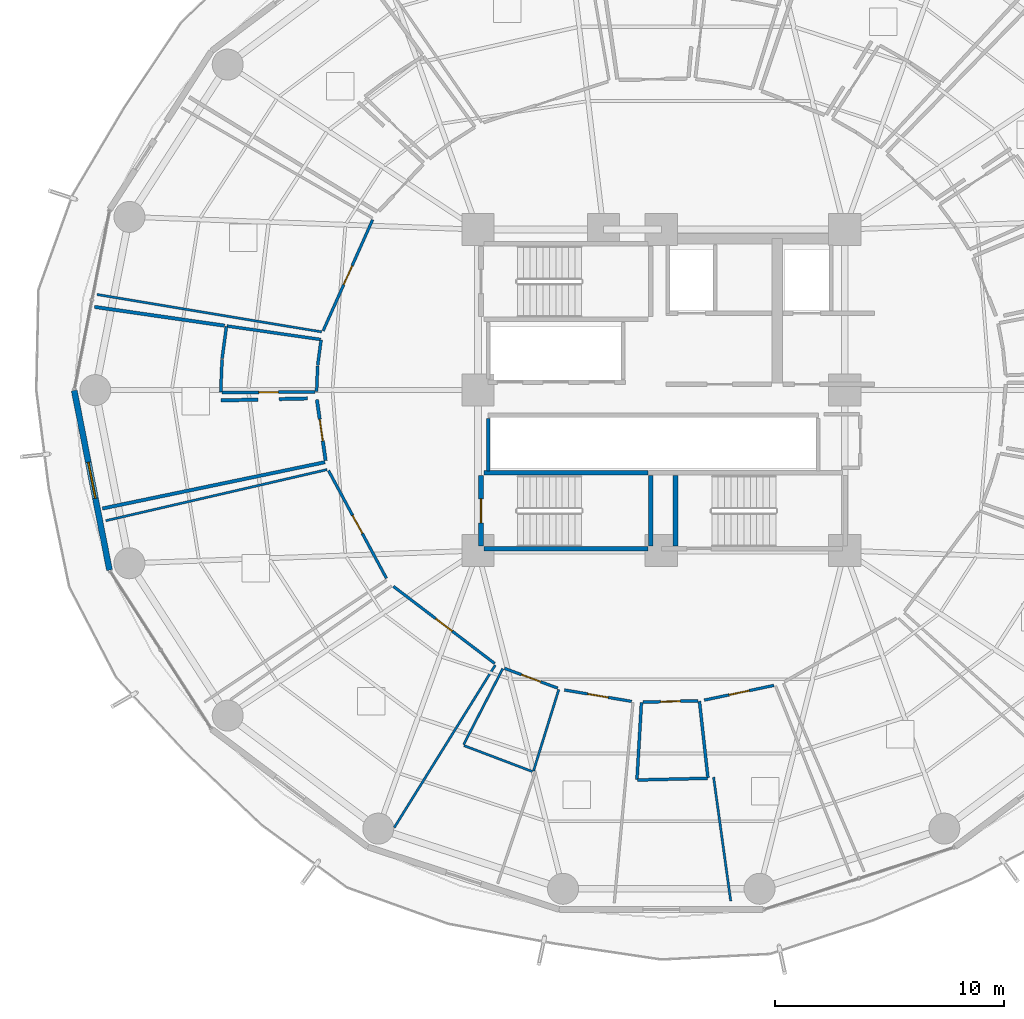
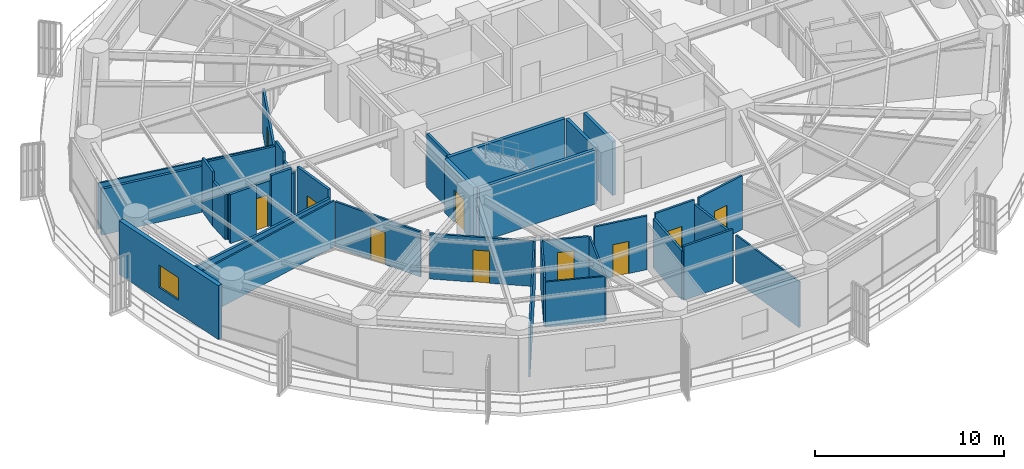
# One storey, part 27 of 35: 35 walls, 10 doors, 1 window, 11 openings.
"""IFC4 building model written with IfcOpenShell, lengths in metres."""

import ifcopenshell
import ifcopenshell.guid

model = None  # the IFC model being written
_history = None  # IfcOwnerHistory: only IFC2X3 demands one
_inside = {}  # id of a spatial element -> (the spatial element, [elements in it])
_under = {}  # id of a project, library or spatial element -> (it, [spatial elements below it])
_declared = {}  # id of a project -> (the project, [libraries it declares])
_typed = {}  # id of a type object -> (the type object, [elements of that type])
_made_of = {}  # id of a material, layer set ... -> (it, [elements and type objects made of it])


def new_model(schema):
    """Start an empty IFC model of exactly this schema.

    Asked for "IFC4X3", IfcOpenShell would pick the latest addendum, in which some entities
    have other attributes; the version numbers below select the first issue.
    IFC2X3 requires an IfcOwnerHistory on every rooted entity: one is made here for all.
    """
    global model, _history
    if schema == "IFC4X3":
        model = ifcopenshell.file(schema_version=(4, 3, 0, 0))
    else:
        model = ifcopenshell.file(schema=schema)
    _inside.clear()
    _under.clear()
    _declared.clear()
    _typed.clear()
    _made_of.clear()
    _history = None
    if model.schema == "IFC2X3":
        org = make("IfcOrganization", Name="unknown")
        user = make(
            "IfcPersonAndOrganization",
            ThePerson=make("IfcPerson", FamilyName="unknown"),
            TheOrganization=org,
        )
        app = make(
            "IfcApplication",
            ApplicationDeveloper=org,
            Version="unknown",
            ApplicationFullName="unknown",
            ApplicationIdentifier="unknown",
        )
        _history = make(
            "IfcOwnerHistory",
            OwningUser=user,
            OwningApplication=app,
            ChangeAction="ADDED",
            CreationDate=0,
        )
    return model


def make(cls, **values):
    """One entity of the class cls with the attributes given. An attribute that is None is left unset."""
    return model.create_entity(
        cls, **{name: value for name, value in values.items() if value is not None}
    )


def rooted(cls, **values):
    """An entity with a GlobalId (a new one), such as an element, a storey or a relation."""
    return make(cls, GlobalId=ifcopenshell.guid.new(), OwnerHistory=_history, **values)


def si_unit(unit_type, name, prefix=None):
    """IfcSIUnit, for example si_unit("LENGTHUNIT", "METRE", prefix="MILLI")."""
    return make("IfcSIUnit", UnitType=unit_type, Prefix=prefix, Name=name)


def assignment(units):
    """IfcUnitAssignment: the units of a project."""
    return None if units is None else make("IfcUnitAssignment", Units=units)


def point(xyz):
    """IfcCartesianPoint."""
    return None if xyz is None else make("IfcCartesianPoint", Coordinates=xyz)


def direction(xyz):
    """IfcDirection."""
    return None if xyz is None else make("IfcDirection", DirectionRatios=xyz)


def frame(location, z_axis=None, x_axis=None):
    """IfcAxis2Placement3D, a coordinate frame: its origin and axes. An axis left out is left unset."""
    return make(
        "IfcAxis2Placement3D",
        Location=point(location),
        Axis=direction(z_axis),
        RefDirection=direction(x_axis),
    )


def frame_2d(location, x_axis=None):
    """IfcAxis2Placement2D, a coordinate frame in the plane: its origin and x axis."""
    return make(
        "IfcAxis2Placement2D", Location=point(location), RefDirection=direction(x_axis)
    )


def origin():
    """The frame at (0, 0, 0) with its axes left unset."""
    return frame((0.0, 0.0, 0.0))


def place(relative_to, where):
    """IfcLocalPlacement: puts the frame where relative to a parent placement (None: the world)."""
    return make(
        "IfcLocalPlacement", PlacementRelTo=relative_to, RelativePlacement=where
    )


def context(
    kind, dimensions, precision=None, world=None, true_north=None, identifier=None
):
    """IfcGeometricRepresentationContext, for example the 3D "Model" context."""
    return make(
        "IfcGeometricRepresentationContext",
        ContextIdentifier=identifier,
        ContextType=kind,
        CoordinateSpaceDimension=dimensions,
        Precision=precision,
        WorldCoordinateSystem=world,
        TrueNorth=true_north,
    )


def subcontext(parent, identifier, kind, view, scale=None):
    """IfcGeometricRepresentationSubContext, for example "Body" below "Model"."""
    return make(
        "IfcGeometricRepresentationSubContext",
        ContextIdentifier=identifier,
        ContextType=kind,
        ParentContext=parent,
        TargetScale=scale,
        TargetView=view,
    )


def project(units=None, contexts=None):
    """IfcProject with its units and contexts."""
    return rooted(
        "IfcProject",
        Name="project",
        RepresentationContexts=contexts,
        UnitsInContext=assignment(units),
    )


def spatial(cls, under=None, at=None, **own):
    """A site, building, storey or space (cls), placed at a placement, below another one or the project."""
    s = rooted(cls, ObjectPlacement=at, **own)
    if under is not None:
        _under.setdefault(under.id(), (under, []))[1].append(s)
    return s


def profile(cls, at=None, kind="AREA", **sizes):
    """A parametric profile (cls). Its sizes go by their IFC names, for example OverallWidth=200.0."""
    return make(cls, ProfileType=kind, Position=at, **sizes)


def rectangle(**sizes):
    """IfcRectangleProfileDef."""
    return profile("IfcRectangleProfileDef", **sizes)


def extrude(swept, where, along, depth):
    """IfcExtrudedAreaSolid: the profile swept, set in the frame where, extruded along a direction by depth."""
    return make(
        "IfcExtrudedAreaSolid",
        SweptArea=swept,
        Position=where,
        ExtrudedDirection=direction(along),
        Depth=depth,
    )


def shape(context_of_items, identifier, shape_type, items):
    """IfcShapeRepresentation: the items that make up one representation, for example the "Body"."""
    return make(
        "IfcShapeRepresentation",
        ContextOfItems=context_of_items,
        RepresentationIdentifier=identifier,
        RepresentationType=shape_type,
        Items=items,
    )


def material(Name=None, Category=None):
    """IfcMaterial."""
    return make("IfcMaterial", Name=Name, Category=Category)


def layer(
    of_material, thickness, ventilated=None, Name=None, Category=None, Priority=None
):
    """IfcMaterialLayer: one layer of a wall or slab, of a material (None: an air gap)."""
    return make(
        "IfcMaterialLayer",
        Material=of_material,
        LayerThickness=thickness,
        IsVentilated=ventilated,
        Name=Name,
        Category=Category,
        Priority=Priority,
    )


def layer_set(layers, Name=None):
    """IfcMaterialLayerSet."""
    return make("IfcMaterialLayerSet", MaterialLayers=layers, LayerSetName=Name)


def made_of(thing, what):
    """Note that an element or type object is made of a material, layer set ...; save() writes the relation."""
    if what is not None:
        _made_of.setdefault(what.id(), (what, []))[1].append(thing)
    return thing


def type_object(cls, material=None, **own):
    """A type object (cls), such as IfcWallType, which elements share."""
    return made_of(rooted(cls, **own), material)


def element(
    cls,
    number,
    at=None,
    inside=None,
    cuts=None,
    type_object=None,
    material=None,
    context=None,
    identifier="Body",
    shape_type=None,
    held_by="IfcProductDefinitionShape",
    body=None,
    shapes=None,
    **own,
):
    """One element of the class cls, such as IfcWall. Its Tag is "e" and its number.

    at: its placement. inside: the storey or other place that contains it. cuts: it is an
    opening in that element (IfcRelVoidsElement). A single representation is given by context,
    identifier, shape_type and body (its items); several are given by shapes. held_by: the class
    of the entity that holds the representations. save() writes the other relations.
    """
    e = rooted(cls, Tag="e%d" % number, ObjectPlacement=at, **own)
    if body is not None:
        shapes = [shape(context, identifier, shape_type, body)]
    if shapes is not None:
        e.Representation = make(held_by, Representations=shapes)
    if inside is not None:
        _inside.setdefault(inside.id(), (inside, []))[1].append(e)
    if cuts is not None:
        rooted(
            "IfcRelVoidsElement", RelatingBuildingElement=cuts, RelatedOpeningElement=e
        )
    if type_object is not None:
        _typed.setdefault(type_object.id(), (type_object, []))[1].append(e)
    return made_of(e, material)


def fill(opening, filler):
    """IfcRelFillsElement: the door or window that sits in an opening."""
    return rooted(
        "IfcRelFillsElement",
        RelatingOpeningElement=opening,
        RelatedBuildingElement=filler,
    )


def aggregate(whole, parts):
    """IfcRelAggregates: a whole, such as a stair, and the parts it consists of."""
    return rooted("IfcRelAggregates", RelatingObject=whole, RelatedObjects=parts)


def save(model, path):
    """Write the relations noted so far, then the file.

    IfcRelAggregates (storeys below a building ...), IfcRelContainedInSpatialStructure (elements
    in a storey), IfcRelDefinesByType, IfcRelAssociatesMaterial and IfcRelDeclares: one each for
    every whole, place, type object, material and project.
    """
    for whole, parts in _under.values():
        aggregate(whole, parts)
    for where, things in _inside.values():
        rooted(
            "IfcRelContainedInSpatialStructure",
            RelatedElements=things,
            RelatingStructure=where,
        )
    for kind, things in _typed.values():
        rooted("IfcRelDefinesByType", RelatedObjects=things, RelatingType=kind)
    for what, things in _made_of.values():
        rooted("IfcRelAssociatesMaterial", RelatedObjects=things, RelatingMaterial=what)
    for by, libraries in _declared.values():
        rooted("IfcRelDeclares", RelatingContext=by, RelatedDefinitions=libraries)
    model.write(path)


model = new_model("IFC4")

# Units and contexts
model_context = context("Model", 3, precision=1e-05, world=origin(), true_north=direction((0.0, 1.0)))
body_context = subcontext(model_context, "Body", "Model", "MODEL_VIEW")
ifc_project = project(units=[si_unit("LENGTHUNIT", "METRE"), si_unit("AREAUNIT", "SQUARE_METRE"), si_unit("VOLUMEUNIT", "CUBIC_METRE"), si_unit("PLANEANGLEUNIT", "RADIAN"), si_unit("MASSUNIT", "GRAM", prefix="KILO")], contexts=[model_context])

# Site, building, storey
site_placement = place(None, origin())
site = spatial("IfcSite", under=ifc_project, at=site_placement, CompositionType="ELEMENT")
building_placement = place(site_placement, origin())
building = spatial("IfcBuilding", under=site, at=building_placement, Name="Kelanora Arch Commons", CompositionType="ELEMENT")
storey_placement = place(building_placement, frame((0.0, 0.0, 91.35009765625)))
storey = spatial("IfcBuildingStorey", under=building, at=storey_placement, Name="L23", CompositionType="ELEMENT", Elevation=91.35009765625)

# Wall
ifc_material_1 = material(Name="Autoclaved aerated concrete blockwork with fire plaster", Category="masonry")
ifc_layer_1 = layer(ifc_material_1, 0.14990234375)
ifc_layer_set_1 = layer_set([ifc_layer_1], Name="Autoclaved aerated concrete blockwork with fire plaster")
wall_type_1 = type_object("IfcWallType", Name="W-COMP-150", PredefinedType="PARTITIONING", material=ifc_layer_set_1)
wall_1_placement = place(storey_placement, frame((66.4599609375, 54.47998046875, 0.0), z_axis=(0.0, 0.0, 1.0), x_axis=(0.0, 1.0, 0.0)))
element("IfcWall", 1, at=wall_1_placement, inside=storey, type_object=wall_type_1, Name="South Lift Bank West Wall L23", PredefinedType="PARTITIONING", context=body_context, shape_type="SweptSolid", body=[
    extrude(rectangle(XDim=2.2900390625, YDim=0.14990234375, at=frame_2d((1.14501953125, 0.0))), origin(), (0.0, 0.0, 1.0), 3.47998046875),
])

# Wall, opening, door
wall_2_placement = place(storey_placement, frame((58.9833984375, 57.585693359375, 0.0), z_axis=(0.0, 0.0, 1.0), x_axis=(0.141700939895, -0.989909512851, 0.0)))
wall_2 = element("IfcWall", 2, at=wall_2_placement, inside=storey, type_object=wall_type_1, Name="Co-Living Studio L23-07 Entry Partition", PredefinedType="PARTITIONING", context=body_context, shape_type="SweptSolid", body=[
    extrude(rectangle(XDim=2.689453125, YDim=0.14990234375, at=frame_2d((1.3447265625, 0.0))), origin(), (0.0, 0.0, 1.0), 3.47998046875),
])
opening_1_placement = place(wall_2_placement, frame((0.8701171875, 0.0, 0.0)))
opening_1 = element("IfcOpeningElement", 3, at=opening_1_placement, cuts=wall_2, Name="Opening D-CLU1", PredefinedType="OPENING", context=body_context, shape_type="SweptSolid", body=[
    extrude(rectangle(XDim=0.949951171875, YDim=2.080078125, at=frame_2d((0.47509765625, 1.0400390625))), frame((0.0, 0.0849609375, 0.0), z_axis=(0.0, -1.0, 0.0), x_axis=(1.0, 0.0, 0.0)), (0.0, 0.0, 1.0), 0.169921875),
])
ifc_material_2 = material(Name="Solid-core acoustic timber cluster entry fire door", Category="wood")
door_type_1 = type_object("IfcDoorType", Name="D-CLU-95", OperationType="NOTDEFINED", PredefinedType="DOOR", material=ifc_material_2)
door_1_placement = place(opening_1_placement, origin())
door_1 = element("IfcDoor", 4, at=door_1_placement, inside=storey, type_object=door_type_1, Name="Co-Living Studio L23-07 Door", OperationType="SINGLE_SWING_LEFT", OverallHeight=2.080078125, OverallWidth=0.949951171875, PredefinedType="DOOR", context=body_context, shape_type="SweptSolid", body=[
    extrude(rectangle(XDim=0.949951171875, YDim=2.080078125, at=frame_2d((0.47509765625, 1.0400390625))), frame((0.0, 0.02490234375, 0.0), z_axis=(0.0, -1.0, 0.0), x_axis=(1.0, 0.0, 0.0)), (0.0, 0.0, 1.0), 0.050048828125),
])
fill(opening_1, door_1)

# Walls
wall_3_placement = place(storey_placement, frame((59.333740234375, 54.855712890625, 0.0), z_axis=(0.0, 0.0, 1.0), x_axis=(-0.979013610983, -0.203794871157, 0.0)))
element("IfcWall", 5, at=wall_3_placement, inside=storey, type_object=wall_type_1, Name="Co-Living Studio L23-07 Enclosure Partition 2", PredefinedType="PARTITIONING", context=body_context, shape_type="SweptSolid", body=[
    extrude(rectangle(XDim=9.90966796875, YDim=0.14990234375, at=frame_2d((4.954833984375, 0.0))), origin(), (0.0, 0.0, 1.0), 2.974853515625),
])
wall_4_placement = place(storey_placement, frame((49.28955078125, 61.627197265625, 0.0), z_axis=(0.0, 0.0, 1.0), x_axis=(0.989748303042, -0.142822605444, 0.0)))
element("IfcWall", 6, at=wall_4_placement, inside=storey, type_object=wall_type_1, Name="Co-Living Studio L23-07 Enclosure Partition 5", PredefinedType="PARTITIONING", context=body_context, shape_type="SweptSolid", body=[
    extrude(rectangle(XDim=5.731689453125, YDim=0.14990234375, at=frame_2d((2.86572265625, 0.0))), origin(), (0.0, 0.0, 1.0), 2.974853515625),
])
wall_5_placement = place(storey_placement, frame((54.7958984375, 57.548828125, 0.0), z_axis=(0.0, 0.0, 1.0), x_axis=(0.999735829312, 0.022984159562, 0.0)))
element("IfcWall", 7, at=wall_5_placement, inside=storey, type_object=wall_type_1, Name="Co-Living Studio L23-07 Enclosure Partition 7", PredefinedType="PARTITIONING", context=body_context, shape_type="SweptSolid", body=[
    extrude(rectangle(XDim=1.625244140625, YDim=0.14990234375, at=frame_2d((0.8125, 0.0))), origin(), (0.0, 0.0, 1.0), 3.1748046875),
])
wall_6_placement = place(storey_placement, frame((57.340576171875, 57.607421875, 0.0), z_axis=(0.0, 0.0, 1.0), x_axis=(0.999735089114, 0.02301633322, 0.0)))
element("IfcWall", 8, at=wall_6_placement, inside=storey, type_object=wall_type_1, Name="Co-Living Studio L23-07 Enclosure Partition 7", PredefinedType="PARTITIONING", context=body_context, shape_type="SweptSolid", body=[
    extrude(rectangle(XDim=1.240966796875, YDim=0.14990234375, at=frame_2d((0.62060546875, 0.0))), origin(), (0.0, 0.0, 1.0), 3.47998046875),
])

# Wall, opening, window
ifc_material_3 = material(Name="Precast concrete C40/50 with terracotta rainscreen", Category="masonry")
ifc_layer_2 = layer(ifc_material_3, 0.260009765625)
ifc_layer_set_2 = layer_set([ifc_layer_2], Name="Precast concrete C40/50 with terracotta rainscreen")
wall_type_2 = type_object("IfcWallType", Name="W-EXT-TC", PredefinedType="SOLIDWALL", material=ifc_layer_set_2)
wall_7_placement = place(storey_placement, frame((48.40283203125, 57.9853515625, 0.0), z_axis=(0.0, 0.0, 1.0), x_axis=(0.192581843632, -0.981280914674, 0.0)))
wall_7 = element("IfcWall", 9, at=wall_7_placement, inside=storey, type_object=wall_type_2, Name="Terracotta Exterior Wall L23-B09", PredefinedType="SOLIDWALL", context=body_context, shape_type="SweptSolid", body=[
    extrude(rectangle(XDim=7.986572265625, YDim=0.260009765625, at=frame_2d((3.9931640625, 0.0))), origin(), (0.0, 0.0, 1.0), 3.474853515625),
])
opening_2_placement = place(wall_7_placement, frame((3.193115234375, 0.0, 0.85009765625)))
opening_2 = element("IfcOpeningElement", 10, at=opening_2_placement, cuts=wall_7, Name="Opening WN-01", PredefinedType="OPENING", context=body_context, shape_type="SweptSolid", body=[
    extrude(rectangle(XDim=1.60009765625, YDim=1.449951171875, at=frame_2d((0.800048828125, 0.72509765625))), frame((0.0, 0.14013671875, 0.0), z_axis=(0.0, -1.0, 0.0), x_axis=(1.0, 0.0, 0.0)), (0.0, 0.0, 1.0), 0.280029296875),
])
ifc_material_4 = material(Name="Terracotta-anodised aluminium frame with operable low-E glazing", Category="masonry")
window_type = type_object("IfcWindowType", Name="WIN-CL-18", PartitioningType="DOUBLE_PANEL_VERTICAL", PredefinedType="WINDOW", material=ifc_material_4)
window_placement = place(opening_2_placement, origin())
window = element("IfcWindow", 11, at=window_placement, inside=storey, type_object=window_type, Name="Co-Living Operable Window L23-B09", OverallHeight=1.449951171875, OverallWidth=1.60009765625, PartitioningType="SINGLE_PANEL", PredefinedType="WINDOW", context=body_context, shape_type="SweptSolid", body=[
    extrude(rectangle(XDim=1.60009765625, YDim=1.449951171875, at=frame_2d((0.800048828125, 0.72509765625))), frame((0.0, 0.030029296875, 0.0), z_axis=(0.0, -1.0, 0.0), x_axis=(1.0, 0.0, 0.0)), (0.0, 0.0, 1.0), 0.06005859375),
])
fill(opening_2, window)

# Walls
ifc_material_5 = material(Name="Lightweight fire-rated acoustic stud partition")
ifc_layer_3 = layer(ifc_material_5, 0.10009765625)
ifc_layer_set_3 = layer_set([ifc_layer_3], Name="Lightweight fire-rated acoustic stud partition")
wall_type_3 = type_object("IfcWallType", Name="W-PART-100", PredefinedType="PARTITIONING", material=ifc_layer_set_3)
wall_8_placement = place(storey_placement, frame((59.19140625, 60.53759765625, 0.0), z_axis=(0.0, 0.0, 1.0), x_axis=(-0.986439069388, 0.16412788424, 0.0)))
element("IfcWall", 12, at=wall_8_placement, inside=storey, type_object=wall_type_3, Name="Social Sky Lounge L23-06 Enclosure Partition 2", PredefinedType="PARTITIONING", context=body_context, shape_type="SweptSolid", body=[
    extrude(rectangle(XDim=9.9306640625, YDim=0.10009765625, at=frame_2d((4.96533203125, 0.0))), origin(), (0.0, 0.0, 1.0), 2.974853515625),
])
wall_9_placement = place(storey_placement, frame((49.780029296875, 52.304931640625, 0.0), z_axis=(0.0, 0.0, 1.0), x_axis=(0.9743529317, 0.225025252999, 0.0)))
element("IfcWall", 13, at=wall_9_placement, inside=storey, type_object=wall_type_3, Name="Quiet Seminar Study Room L23-08 Enclosure Partition 4", PredefinedType="PARTITIONING", context=body_context, shape_type="SweptSolid", body=[
    extrude(rectangle(XDim=9.89697265625, YDim=0.10009765625, at=frame_2d((4.948486328125, 0.0))), origin(), (0.0, 0.0, 1.0), 2.974853515625),
])
wall_10_placement = place(storey_placement, frame((66.760986328125, 46.010009765625, 0.0), z_axis=(0.0, 0.0, 1.0), x_axis=(-0.528015738644, -0.849234584638, 0.0)))
element("IfcWall", 14, at=wall_10_placement, inside=storey, type_object=wall_type_3, Name="Communal Dining and Social Hall L23-09 Enclosure Partition 2", PredefinedType="PARTITIONING", context=body_context, shape_type="SweptSolid", body=[
    extrude(rectangle(XDim=8.33837890625, YDim=0.10009765625, at=frame_2d((4.169189453125, 0.0))), origin(), (0.0, 0.0, 1.0), 3.1748046875),
])
wall_11_placement = place(storey_placement, frame((69.530029296875, 44.94482421875, 0.0), z_axis=(0.0, 0.0, 1.0), x_axis=(-0.296510682072, -0.955029536411, 0.0)))
element("IfcWall", 15, at=wall_11_placement, inside=storey, type_object=wall_type_3, Name="Student Laundry Room L23-10 Enclosure Partition 2", PredefinedType="PARTITIONING", context=body_context, shape_type="SweptSolid", body=[
    extrude(rectangle(XDim=3.719970703125, YDim=0.10009765625, at=frame_2d((1.85986328125, 0.0))), origin(), (0.0, 0.0, 1.0), 2.9248046875),
])
wall_12_placement = place(storey_placement, frame((68.377685546875, 41.3681640625, 0.0), z_axis=(0.0, 0.0, 1.0), x_axis=(-0.935027341219, 0.354575621233, 0.0)))
element("IfcWall", 16, at=wall_12_placement, inside=storey, type_object=wall_type_3, Name="Student Laundry Room L23-10 Enclosure Partition 3", PredefinedType="PARTITIONING", context=body_context, shape_type="SweptSolid", body=[
    extrude(rectangle(XDim=3.18310546875, YDim=0.10009765625, at=frame_2d((1.591552734375, 0.0))), origin(), (0.0, 0.0, 1.0), 2.9248046875),
])
wall_13_placement = place(storey_placement, frame((65.38232421875, 42.54638671875, 0.0), z_axis=(0.0, 0.0, 1.0), x_axis=(0.458413879464, 0.888738834031, 0.0)))
element("IfcWall", 17, at=wall_13_placement, inside=storey, type_object=wall_type_3, Name="Student Laundry Room L23-10 Enclosure Partition 4", PredefinedType="PARTITIONING", context=body_context, shape_type="SweptSolid", body=[
    extrude(rectangle(XDim=3.719970703125, YDim=0.10009765625, at=frame_2d((1.85986328125, 0.0))), origin(), (0.0, 0.0, 1.0), 3.1748046875),
])
wall_14_placement = place(storey_placement, frame((77.026611328125, 35.724609375, 0.0), z_axis=(0.0, 0.0, 1.0), x_axis=(-0.136996790132, 0.990571491359, 0.0)))
element("IfcWall", 18, at=wall_14_placement, inside=storey, type_object=wall_type_3, Name="Tutorial Study Alcove L23-11 Enclosure Partition 4", PredefinedType="PARTITIONING", context=body_context, shape_type="SweptSolid", body=[
    extrude(rectangle(XDim=5.44775390625, YDim=0.10009765625, at=frame_2d((2.723876953125, 0.0))), origin(), (0.0, 0.0, 1.0), 2.974853515625),
])

# Wall, opening, door
ifc_material_6 = material(Name="Acoustic twin-stud fire-rated gypsum partition")
ifc_layer_4 = layer(ifc_material_6, 0.1201171875)
ifc_layer_set_4 = layer_set([ifc_layer_4], Name="Acoustic twin-stud fire-rated gypsum partition")
wall_type_4 = type_object("IfcWallType", Name="W-PART-120", PredefinedType="PARTITIONING", material=ifc_layer_set_4)
wall_15_placement = place(storey_placement, frame((61.41357421875, 65.42822265625, 0.0), z_axis=(0.0, 0.0, 1.0), x_axis=(-0.407078232177, -0.913393295841, 0.0)))
wall_15 = element("IfcWall", 19, at=wall_15_placement, inside=storey, type_object=wall_type_4, Name="Social Sky Lounge L23-06 Entry Partition", PredefinedType="PARTITIONING", context=body_context, shape_type="SweptSolid", body=[
    extrude(rectangle(XDim=5.3017578125, YDim=0.1201171875, at=frame_2d((2.65087890625, 0.0))), origin(), (0.0, 0.0, 1.0), 2.9248046875),
])
opening_3_placement = place(wall_15_placement, frame((2.200927734375, 0.0, 0.0)))
opening_3 = element("IfcOpeningElement", 20, at=opening_3_placement, cuts=wall_15, Name="Opening D-RM1", PredefinedType="OPENING", context=body_context, shape_type="SweptSolid", body=[
    extrude(rectangle(XDim=0.89990234375, YDim=2.080078125, at=frame_2d((0.449951171875, 1.0400390625))), frame((0.0, 0.070068359375, 0.0), z_axis=(0.0, -1.0, 0.0), x_axis=(1.0, 0.0, 0.0)), (0.0, 0.0, 1.0), 0.14013671875),
])
ifc_material_7 = material(Name="Acoustic fire-rated timber study and lounge door", Category="wood")
door_type_2 = type_object("IfcDoorType", Name="D-ROOM-90", OperationType="NOTDEFINED", PredefinedType="DOOR", material=ifc_material_7)
door_2_placement = place(opening_3_placement, origin())
door_2 = element("IfcDoor", 21, at=door_2_placement, inside=storey, type_object=door_type_2, Name="Social Sky Lounge L23-06 Door", OperationType="SINGLE_SWING_LEFT", OverallHeight=2.080078125, OverallWidth=0.89990234375, PredefinedType="DOOR", context=body_context, shape_type="SweptSolid", body=[
    extrude(rectangle(XDim=0.89990234375, YDim=2.080078125, at=frame_2d((0.449951171875, 1.0400390625))), frame((0.0, 0.02490234375, 0.0), z_axis=(0.0, -1.0, 0.0), x_axis=(1.0, 0.0, 0.0)), (0.0, 0.0, 1.0), 0.050048828125),
])
fill(opening_3, door_2)

wall_16_placement = place(storey_placement, frame((59.490478515625, 54.48828125, 0.0), z_axis=(0.0, 0.0, 1.0), x_axis=(0.473630069111, -0.880723882743, 0.0)))
wall_16 = element("IfcWall", 22, at=wall_16_placement, inside=storey, type_object=wall_type_4, Name="Quiet Seminar Study Room L23-08 Entry Partition", PredefinedType="PARTITIONING", context=body_context, shape_type="SweptSolid", body=[
    extrude(rectangle(XDim=5.33154296875, YDim=0.1201171875, at=frame_2d((2.665771484375, 0.0))), origin(), (0.0, 0.0, 1.0), 2.9248046875),
])
opening_4_placement = place(wall_16_placement, frame((2.216064453125, 0.0, 0.0)))
opening_4 = element("IfcOpeningElement", 23, at=opening_4_placement, cuts=wall_16, Name="Opening D-RM1", PredefinedType="OPENING", context=body_context, shape_type="SweptSolid", body=[
    extrude(rectangle(XDim=0.89990234375, YDim=2.080078125, at=frame_2d((0.449951171875, 1.0400390625))), frame((0.0, 0.070068359375, 0.0), z_axis=(0.0, -1.0, 0.0), x_axis=(1.0, 0.0, 0.0)), (0.0, 0.0, 1.0), 0.14013671875),
])
door_3_placement = place(opening_4_placement, origin())
door_3 = element("IfcDoor", 24, at=door_3_placement, inside=storey, type_object=door_type_2, Name="Quiet Seminar Study Room L23-08 Door", OperationType="SINGLE_SWING_RIGHT", OverallHeight=2.080078125, OverallWidth=0.89990234375, PredefinedType="DOOR", context=body_context, shape_type="SweptSolid", body=[
    extrude(rectangle(XDim=0.89990234375, YDim=2.080078125, at=frame_2d((0.449951171875, 1.0400390625))), frame((0.0, 0.02490234375, 0.0), z_axis=(0.0, -1.0, 0.0), x_axis=(1.0, 0.0, 0.0)), (0.0, 0.0, 1.0), 0.050048828125),
])
fill(opening_4, door_3)

wall_17_placement = place(storey_placement, frame((62.317626953125, 49.441650390625, 0.0), z_axis=(0.0, 0.0, 1.0), x_axis=(0.795762794985, -0.605608432997, 0.0)))
wall_17 = element("IfcWall", 25, at=wall_17_placement, inside=storey, type_object=wall_type_4, Name="Communal Dining and Social Hall L23-09 Entry Partition", PredefinedType="PARTITIONING", context=body_context, shape_type="SweptSolid", body=[
    extrude(rectangle(XDim=5.55029296875, YDim=0.1201171875, at=frame_2d((2.775146484375, 0.0))), origin(), (0.0, 0.0, 1.0), 2.9248046875),
])
opening_5_placement = place(wall_17_placement, frame((2.324951171875, 0.0, 0.0)))
opening_5 = element("IfcOpeningElement", 26, at=opening_5_placement, cuts=wall_17, Name="Opening D-RM1", PredefinedType="OPENING", context=body_context, shape_type="SweptSolid", body=[
    extrude(rectangle(XDim=0.89990234375, YDim=2.080078125, at=frame_2d((0.449951171875, 1.0400390625))), frame((0.0, 0.070068359375, 0.0), z_axis=(0.0, -1.0, 0.0), x_axis=(1.0, 0.0, 0.0)), (0.0, 0.0, 1.0), 0.14013671875),
])
door_4_placement = place(opening_5_placement, origin())
door_4 = element("IfcDoor", 27, at=door_4_placement, inside=storey, type_object=door_type_2, Name="Communal Dining and Social Hall L23-09 Door", OperationType="SINGLE_SWING_LEFT", OverallHeight=2.080078125, OverallWidth=0.89990234375, PredefinedType="DOOR", context=body_context, shape_type="SweptSolid", body=[
    extrude(rectangle(XDim=0.89990234375, YDim=2.080078125, at=frame_2d((0.449951171875, 1.0400390625))), frame((0.0, 0.02490234375, 0.0), z_axis=(0.0, -1.0, 0.0), x_axis=(1.0, 0.0, 0.0)), (0.0, 0.0, 1.0), 0.050048828125),
])
fill(opening_5, door_4)

wall_18_placement = place(storey_placement, frame((67.162109375, 45.8671875, 0.0), z_axis=(0.0, 0.0, 1.0), x_axis=(0.937401389833, -0.348250821018, 0.0)))
wall_18 = element("IfcWall", 28, at=wall_18_placement, inside=storey, type_object=wall_type_4, Name="Student Laundry Room L23-10 Entry Partition", PredefinedType="PARTITIONING", context=body_context, shape_type="SweptSolid", body=[
    extrude(rectangle(XDim=2.47900390625, YDim=0.1201171875, at=frame_2d((1.239501953125, 0.0))), origin(), (0.0, 0.0, 1.0), 2.9248046875),
])
opening_6_placement = place(wall_18_placement, frame((0.7890625, 0.0, 0.0)))
opening_6 = element("IfcOpeningElement", 29, at=opening_6_placement, cuts=wall_18, Name="Opening D-RM1", PredefinedType="OPENING", context=body_context, shape_type="SweptSolid", body=[
    extrude(rectangle(XDim=0.89990234375, YDim=2.080078125, at=frame_2d((0.449951171875, 1.0400390625))), frame((0.0, 0.070068359375, 0.0), z_axis=(0.0, -1.0, 0.0), x_axis=(1.0, 0.0, 0.0)), (0.0, 0.0, 1.0), 0.14013671875),
])
door_5_placement = place(opening_6_placement, origin())
door_5 = element("IfcDoor", 30, at=door_5_placement, inside=storey, type_object=door_type_2, Name="Student Laundry Room L23-10 Door", OperationType="SINGLE_SWING_RIGHT", OverallHeight=2.080078125, OverallWidth=0.89990234375, PredefinedType="DOOR", context=body_context, shape_type="SweptSolid", body=[
    extrude(rectangle(XDim=0.89990234375, YDim=2.080078125, at=frame_2d((0.449951171875, 1.0400390625))), frame((0.0, 0.02490234375, 0.0), z_axis=(0.0, -1.0, 0.0), x_axis=(1.0, 0.0, 0.0)), (0.0, 0.0, 1.0), 0.050048828125),
])
fill(opening_6, door_5)

wall_19_placement = place(storey_placement, frame((69.777099609375, 44.9248046875, 0.0), z_axis=(0.0, 0.0, 1.0), x_axis=(0.985835901267, -0.167712777608, 0.0)))
wall_19 = element("IfcWall", 31, at=wall_19_placement, inside=storey, type_object=wall_type_4, Name="Quiet Reading Carrel L23-10 Entry Partition", PredefinedType="PARTITIONING", context=body_context, shape_type="SweptSolid", body=[
    extrude(rectangle(XDim=2.97412109375, YDim=0.1201171875, at=frame_2d((1.487060546875, 0.0))), origin(), (0.0, 0.0, 1.0), 3.47998046875),
])
opening_7_placement = place(wall_19_placement, frame((1.037109375, 0.0, 0.0)))
opening_7 = element("IfcOpeningElement", 32, at=opening_7_placement, cuts=wall_19, Name="Opening D-RM1", PredefinedType="OPENING", context=body_context, shape_type="SweptSolid", body=[
    extrude(rectangle(XDim=0.89990234375, YDim=2.080078125, at=frame_2d((0.449951171875, 1.0400390625))), frame((0.0, 0.070068359375, 0.0), z_axis=(0.0, -1.0, 0.0), x_axis=(1.0, 0.0, 0.0)), (0.0, 0.0, 1.0), 0.14013671875),
])
door_6_placement = place(opening_7_placement, origin())
door_6 = element("IfcDoor", 33, at=door_6_placement, inside=storey, type_object=door_type_2, Name="Quiet Reading Carrel L23-10 Door", OperationType="SINGLE_SWING_LEFT", OverallHeight=2.080078125, OverallWidth=0.89990234375, PredefinedType="DOOR", context=body_context, shape_type="SweptSolid", body=[
    extrude(rectangle(XDim=0.89990234375, YDim=2.080078125, at=frame_2d((0.449951171875, 1.0400390625))), frame((0.0, 0.02490234375, 0.0), z_axis=(0.0, -1.0, 0.0), x_axis=(1.0, 0.0, 0.0)), (0.0, 0.0, 1.0), 0.050048828125),
])
fill(opening_7, door_6)

wall_20_placement = place(storey_placement, frame((75.875732421875, 44.482421875, 0.0), z_axis=(0.0, 0.0, 1.0), x_axis=(0.978387400111, 0.206780306856, 0.0)))
wall_20 = element("IfcWall", 34, at=wall_20_placement, inside=storey, type_object=wall_type_4, Name="Tutorial Study Alcove L23-11 Entry Partition", PredefinedType="PARTITIONING", context=body_context, shape_type="SweptSolid", body=[
    extrude(rectangle(XDim=3.100341796875, YDim=0.1201171875, at=frame_2d((1.55029296875, 0.0))), origin(), (0.0, 0.0, 1.0), 3.47998046875),
])
opening_8_placement = place(wall_20_placement, frame((1.10009765625, 0.0, 0.0)))
opening_8 = element("IfcOpeningElement", 35, at=opening_8_placement, cuts=wall_20, Name="Opening D-RM1", PredefinedType="OPENING", context=body_context, shape_type="SweptSolid", body=[
    extrude(rectangle(XDim=0.89990234375, YDim=2.080078125, at=frame_2d((0.449951171875, 1.0400390625))), frame((0.0, 0.070068359375, 0.0), z_axis=(0.0, -1.0, 0.0), x_axis=(1.0, 0.0, 0.0)), (0.0, 0.0, 1.0), 0.14013671875),
])
door_7_placement = place(opening_8_placement, origin())
door_7 = element("IfcDoor", 36, at=door_7_placement, inside=storey, type_object=door_type_2, Name="Tutorial Study Alcove L23-11 Door", OperationType="SINGLE_SWING_LEFT", OverallHeight=2.080078125, OverallWidth=0.89990234375, PredefinedType="DOOR", context=body_context, shape_type="SweptSolid", body=[
    extrude(rectangle(XDim=0.89990234375, YDim=2.080078125, at=frame_2d((0.449951171875, 1.0400390625))), frame((0.0, 0.02490234375, 0.0), z_axis=(0.0, -1.0, 0.0), x_axis=(1.0, 0.0, 0.0)), (0.0, 0.0, 1.0), 0.050048828125),
])
fill(opening_8, door_7)

# Walls
ifc_material_8 = material(Name="Concrete C40/50", Category="concrete")
ifc_layer_5 = layer(ifc_material_8, 0.199951171875)
ifc_layer_set_5 = layer_set([ifc_layer_5], Name="Concrete C40/50")
wall_type_5 = type_object("IfcWallType", Name="W-STAIR-200", PredefinedType="SHEAR", material=ifc_layer_set_5)
wall_21_placement = place(storey_placement, frame((74.6201171875, 54.27001953125, 0.0), z_axis=(0.0, 0.0, 1.0), x_axis=(0.0, -1.0, 0.0)))
element("IfcWall", 37, at=wall_21_placement, inside=storey, type_object=wall_type_5, Name="Stair ST-T2 Shaft Wall W L23", PredefinedType="SHEAR", context=body_context, shape_type="SweptSolid", body=[
    extrude(rectangle(XDim=3.070068359375, YDim=0.199951171875, at=frame_2d((1.53515625, 0.0))), origin(), (0.0, 0.0, 1.0), 3.489990234375),
])
wall_22_placement = place(storey_placement, frame((66.260009765625, 51.080078125, 0.0), z_axis=(0.0, 0.0, 1.0), x_axis=(1.0, 0.0, 0.0)))
element("IfcWall", 38, at=wall_22_placement, inside=storey, type_object=wall_type_5, Name="Stair ST-T3 Shaft Wall S L23", PredefinedType="SHEAR", context=body_context, shape_type="SweptSolid", body=[
    extrude(rectangle(XDim=7.159912109375, YDim=0.199951171875, at=frame_2d((3.580078125, 0.0))), origin(), (0.0, 0.0, 1.0), 3.489990234375),
])
wall_23_placement = place(storey_placement, frame((73.5400390625, 51.199951171875, 0.0), z_axis=(0.0, 0.0, 1.0), x_axis=(0.0, 1.0, 0.0)))
element("IfcWall", 39, at=wall_23_placement, inside=storey, type_object=wall_type_5, Name="Stair ST-T3 Shaft Wall E L23", PredefinedType="SHEAR", context=body_context, shape_type="SweptSolid", body=[
    extrude(rectangle(XDim=3.070068359375, YDim=0.199951171875, at=frame_2d((1.53515625, 0.0))), origin(), (0.0, 0.0, 1.0), 3.489990234375),
])
wall_24_placement = place(storey_placement, frame((73.419921875, 54.389892578125, 0.0), z_axis=(0.0, 0.0, 1.0), x_axis=(-1.0, 0.0, 0.0)))
element("IfcWall", 40, at=wall_24_placement, inside=storey, type_object=wall_type_5, Name="Stair ST-T3 Shaft Wall N L23", PredefinedType="SHEAR", context=body_context, shape_type="SweptSolid", body=[
    extrude(rectangle(XDim=7.159912109375, YDim=0.199951171875, at=frame_2d((3.580078125, 0.0))), origin(), (0.0, 0.0, 1.0), 3.489990234375),
])

# Wall, opening, door
wall_25_placement = place(storey_placement, frame((66.139892578125, 54.27001953125, 0.0), z_axis=(0.0, 0.0, 1.0), x_axis=(0.0, -1.0, 0.0)))
wall_25 = element("IfcWall", 41, at=wall_25_placement, inside=storey, type_object=wall_type_5, Name="Stair ST-T3 Shaft Wall W L23", PredefinedType="SHEAR", context=body_context, shape_type="SweptSolid", body=[
    extrude(rectangle(XDim=3.070068359375, YDim=0.199951171875, at=frame_2d((1.53515625, 0.0))), origin(), (0.0, 0.0, 1.0), 3.489990234375),
])
opening_9_placement = place(wall_25_placement, frame((1.010009765625, 0.0, 0.0)))
opening_9 = element("IfcOpeningElement", 42, at=opening_9_placement, cuts=wall_25, Name="Opening D-ST1", PredefinedType="OPENING", context=body_context, shape_type="SweptSolid", body=[
    extrude(rectangle(XDim=1.050048828125, YDim=2.10009765625, at=frame_2d((0.52490234375, 1.050048828125))), frame((0.0, 0.10986328125, 0.0), z_axis=(0.0, -1.0, 0.0), x_axis=(1.0, 0.0, 0.0)), (0.0, 0.0, 1.0), 0.219970703125),
])
ifc_material_9 = material(Name="Steel fire-rated stairwell escape door", Category="steel")
door_type_3 = type_object("IfcDoorType", Name="D-STAIR-110", OperationType="NOTDEFINED", PredefinedType="DOOR", material=ifc_material_9)
door_8_placement = place(opening_9_placement, origin())
door_8 = element("IfcDoor", 43, at=door_8_placement, inside=storey, type_object=door_type_3, Name="Stair ST-T3 Escape Door L23", OperationType="SINGLE_SWING_LEFT", OverallHeight=2.10009765625, OverallWidth=1.050048828125, PredefinedType="DOOR", context=body_context, shape_type="SweptSolid", body=[
    extrude(rectangle(XDim=1.050048828125, YDim=2.10009765625, at=frame_2d((0.52490234375, 1.050048828125))), frame((0.0, 0.02490234375, 0.0), z_axis=(0.0, -1.0, 0.0), x_axis=(1.0, 0.0, 0.0)), (0.0, 0.0, 1.0), 0.050048828125),
])
fill(opening_9, door_8)

ifc_material_10 = material(Name="Moisture-resistant fire-rated cement-board plumbing wall")
ifc_layer_6 = layer(ifc_material_10, 0.1298828125)
ifc_layer_set_6 = layer_set([ifc_layer_6], Name="Moisture-resistant fire-rated cement-board plumbing wall")
wall_type_6 = type_object("IfcWallType", Name="W-WET-120", PredefinedType="PLUMBINGWALL", material=ifc_layer_set_6)
wall_26_placement = place(storey_placement, frame((58.909912109375, 57.917724609375, 0.0), z_axis=(0.0, 0.0, 1.0), x_axis=(-0.999986004608, -0.005290613143, 0.0)))
wall_26 = element("IfcWall", 44, at=wall_26_placement, inside=storey, type_object=wall_type_6, Name="En-Suite Shower WC L23-07 Entry Partition", PredefinedType="PLUMBINGWALL", context=body_context, shape_type="SweptSolid", body=[
    extrude(rectangle(XDim=4.060791015625, YDim=0.1298828125, at=frame_2d((2.0302734375, 0.0))), origin(), (0.0, 0.0, 1.0), 2.9248046875),
])
opening_10_placement = place(wall_26_placement, frame((1.60107421875, 0.0, 0.0)))
opening_10 = element("IfcOpeningElement", 45, at=opening_10_placement, cuts=wall_26, Name="Opening D-BT1", PredefinedType="OPENING", context=body_context, shape_type="SweptSolid", body=[
    extrude(rectangle(XDim=0.860107421875, YDim=2.050048828125, at=frame_2d((0.43017578125, 1.02490234375))), frame((0.0, 0.074951171875, 0.0), z_axis=(0.0, -1.0, 0.0), x_axis=(1.0, 0.0, 0.0)), (0.0, 0.0, 1.0), 0.14990234375),
])
ifc_material_11 = material(Name="Moisture-sealed fire-rated accessible bathroom door")
door_type_4 = type_object("IfcDoorType", Name="D-BATH-85", OperationType="NOTDEFINED", PredefinedType="DOOR", material=ifc_material_11)
door_9_placement = place(opening_10_placement, origin())
door_9 = element("IfcDoor", 46, at=door_9_placement, inside=storey, type_object=door_type_4, Name="En-Suite Shower WC L23-07 Door", OperationType="SINGLE_SWING_RIGHT", OverallHeight=2.050048828125, OverallWidth=0.860107421875, PredefinedType="DOOR", context=body_context, shape_type="SweptSolid", body=[
    extrude(rectangle(XDim=0.860107421875, YDim=2.050048828125, at=frame_2d((0.43017578125, 1.02490234375))), frame((0.0, 0.02490234375, 0.0), z_axis=(0.0, -1.0, 0.0), x_axis=(1.0, 0.0, 0.0)), (0.0, 0.0, 1.0), 0.050048828125),
])
fill(opening_10, door_9)

wall_27_placement = place(storey_placement, frame((73.195068359375, 44.394287109375, 0.0), z_axis=(0.0, 0.0, 1.0), x_axis=(0.999715810971, 0.023838986867, 0.0)))
wall_27 = element("IfcWall", 47, at=wall_27_placement, inside=storey, type_object=wall_type_6, Name="Accessible Shared Floor WC L23-11 Entry Partition", PredefinedType="PLUMBINGWALL", context=body_context, shape_type="SweptSolid", body=[
    extrude(rectangle(XDim=2.40673828125, YDim=0.1298828125, at=frame_2d((1.203369140625, 0.0))), origin(), (0.0, 0.0, 1.0), 3.47998046875),
])
opening_11_placement = place(wall_27_placement, frame((0.77294921875, 0.0, 0.0)))
opening_11 = element("IfcOpeningElement", 48, at=opening_11_placement, cuts=wall_27, Name="Opening D-BT1", PredefinedType="OPENING", context=body_context, shape_type="SweptSolid", body=[
    extrude(rectangle(XDim=0.860107421875, YDim=2.050048828125, at=frame_2d((0.43017578125, 1.02490234375))), frame((0.0, 0.074951171875, 0.0), z_axis=(0.0, -1.0, 0.0), x_axis=(1.0, 0.0, 0.0)), (0.0, 0.0, 1.0), 0.14990234375),
])
door_10_placement = place(opening_11_placement, origin())
door_10 = element("IfcDoor", 49, at=door_10_placement, inside=storey, type_object=door_type_4, Name="Accessible Shared Floor WC L23-11 Door", OperationType="SINGLE_SWING_RIGHT", OverallHeight=2.050048828125, OverallWidth=0.860107421875, PredefinedType="DOOR", context=body_context, shape_type="SweptSolid", body=[
    extrude(rectangle(XDim=0.860107421875, YDim=2.050048828125, at=frame_2d((0.43017578125, 1.02490234375))), frame((0.0, 0.02490234375, 0.0), z_axis=(0.0, -1.0, 0.0), x_axis=(1.0, 0.0, 0.0)), (0.0, 0.0, 1.0), 0.050048828125),
])
fill(opening_11, door_10)

# Walls
wall_28_placement = place(storey_placement, frame((59.165283203125, 60.18310546875, 0.0), z_axis=(0.0, 0.0, 1.0), x_axis=(-0.132293485363, -0.991210590001, 0.0)))
element("IfcWall", 50, at=wall_28_placement, inside=storey, type_object=wall_type_6, Name="En-Suite Shower WC L23-07 Enclosure Partition 1", PredefinedType="PLUMBINGWALL", context=body_context, shape_type="SweptSolid", body=[
    extrude(rectangle(XDim=1.109130859375, YDim=0.1298828125, at=frame_2d((0.5546875, 0.0))), origin(), (0.0, 0.0, 1.0), 3.47998046875),
])
wall_29_placement = place(storey_placement, frame((59.01513671875, 59.0439453125, 0.0), z_axis=(0.0, 0.0, 1.0), x_axis=(-0.040144213929, -0.999193896142, 0.0)))
element("IfcWall", 51, at=wall_29_placement, inside=storey, type_object=wall_type_6, Name="En-Suite Shower WC L23-07 Enclosure Partition 2", PredefinedType="PLUMBINGWALL", context=body_context, shape_type="SweptSolid", body=[
    extrude(rectangle(XDim=1.10693359375, YDim=0.1298828125, at=frame_2d((0.553466796875, 0.0))), origin(), (0.0, 0.0, 1.0), 2.9248046875),
])
wall_30_placement = place(storey_placement, frame((54.789794921875, 57.916015625, 0.0), z_axis=(0.0, 0.0, 1.0), x_axis=(0.040511918217, 0.999179055266, 0.0)))
element("IfcWall", 52, at=wall_30_placement, inside=storey, type_object=wall_type_6, Name="En-Suite Shower WC L23-07 Enclosure Partition 4", PredefinedType="PLUMBINGWALL", context=body_context, shape_type="SweptSolid", body=[
    extrude(rectangle(XDim=1.416259765625, YDim=0.1298828125, at=frame_2d((0.7080078125, 0.0))), origin(), (0.0, 0.0, 1.0), 2.9248046875),
])
wall_31_placement = place(storey_placement, frame((54.8505859375, 59.370849609375, 0.0), z_axis=(0.0, 0.0, 1.0), x_axis=(0.133008986947, 0.991114831587, 0.0)))
element("IfcWall", 53, at=wall_31_placement, inside=storey, type_object=wall_type_6, Name="En-Suite Shower WC L23-07 Enclosure Partition 5", PredefinedType="PLUMBINGWALL", context=body_context, shape_type="SweptSolid", body=[
    extrude(rectangle(XDim=1.4189453125, YDim=0.1298828125, at=frame_2d((0.70947265625, 0.0))), origin(), (0.0, 0.0, 1.0), 3.47998046875),
])
wall_32_placement = place(storey_placement, frame((55.061767578125, 60.794189453125, 0.0), z_axis=(0.0, 0.0, 1.0), x_axis=(0.989792775484, -0.142514075094, 0.0)))
element("IfcWall", 54, at=wall_32_placement, inside=storey, type_object=wall_type_6, Name="En-Suite Shower WC L23-07 Enclosure Partition 6", PredefinedType="PLUMBINGWALL", context=body_context, shape_type="SweptSolid", body=[
    extrude(rectangle(XDim=4.128662109375, YDim=0.1298828125, at=frame_2d((2.064453125, 0.0))), origin(), (0.0, 0.0, 1.0), 3.1748046875),
])
wall_33_placement = place(storey_placement, frame((75.6630859375, 44.43310546875, 0.0), z_axis=(0.0, 0.0, 1.0), x_axis=(0.110311886913, -0.993897020624, 0.0)))
element("IfcWall", 55, at=wall_33_placement, inside=storey, type_object=wall_type_6, Name="Accessible Shared Floor WC L23-11 Enclosure Partition 2", PredefinedType="PLUMBINGWALL", context=body_context, shape_type="SweptSolid", body=[
    extrude(rectangle(XDim=3.359619140625, YDim=0.1298828125, at=frame_2d((1.6796875, 0.0))), origin(), (0.0, 0.0, 1.0), 3.1748046875),
])
wall_34_placement = place(storey_placement, frame((76.01611328125, 41.073486328125, 0.0), z_axis=(0.0, 0.0, 1.0), x_axis=(-0.999699597441, -0.024509485419, 0.0)))
element("IfcWall", 56, at=wall_34_placement, inside=storey, type_object=wall_type_6, Name="Accessible Shared Floor WC L23-11 Enclosure Partition 3", PredefinedType="PLUMBINGWALL", context=body_context, shape_type="SweptSolid", body=[
    extrude(rectangle(XDim=3.05810546875, YDim=0.1298828125, at=frame_2d((1.529052734375, 0.0))), origin(), (0.0, 0.0, 1.0), 3.47998046875),
])
wall_35_placement = place(storey_placement, frame((72.940185546875, 41.01806640625, 0.0), z_axis=(0.0, 0.0, 1.0), x_axis=(0.057610459658, 0.998339138238, 0.0)))
element("IfcWall", 57, at=wall_35_placement, inside=storey, type_object=wall_type_6, Name="Accessible Shared Floor WC L23-11 Enclosure Partition 4", PredefinedType="PLUMBINGWALL", context=body_context, shape_type="SweptSolid", body=[
    extrude(rectangle(XDim=3.360595703125, YDim=0.1298828125, at=frame_2d((1.68017578125, 0.0))), origin(), (0.0, 0.0, 1.0), 3.1748046875),
])

save(model, "model.ifc")
